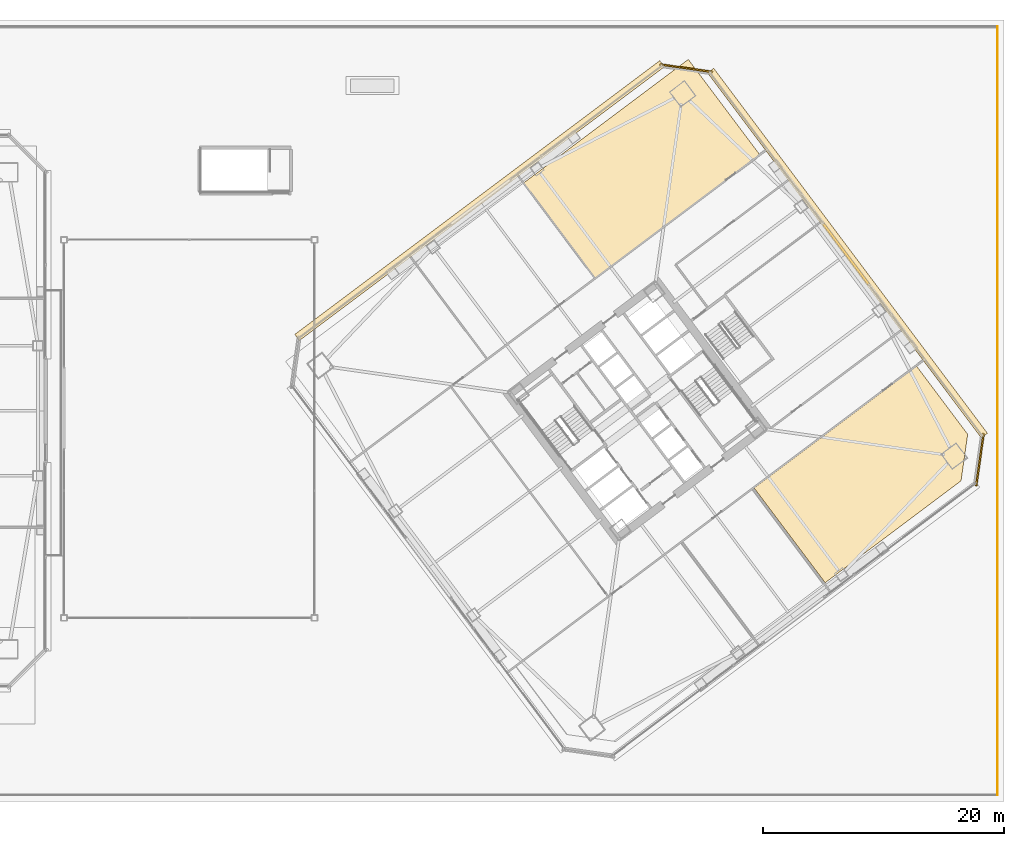
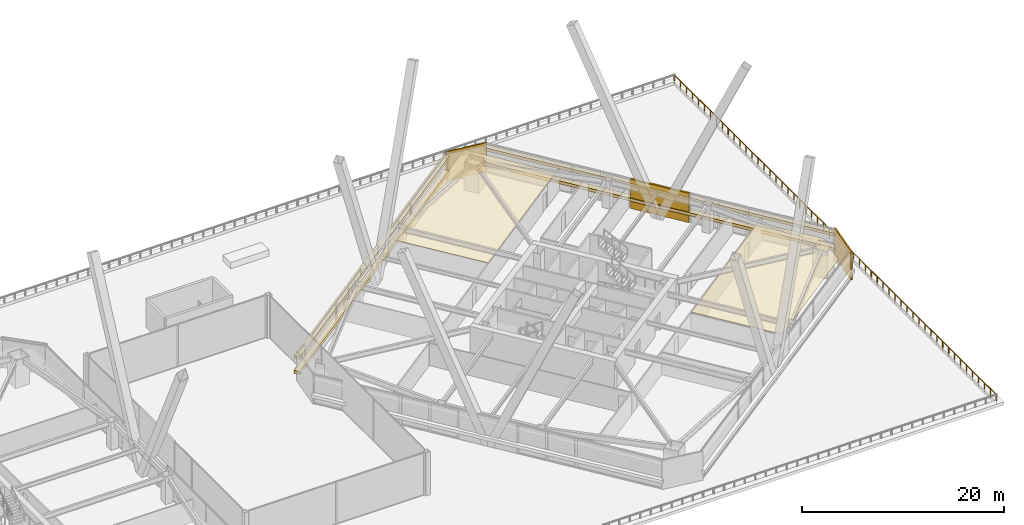
# One storey, part 82 of 83: 9 coverings, 1 railing.
"""IFC4 building model written with IfcOpenShell, lengths in metres."""

import ifcopenshell
import ifcopenshell.guid

model = None  # the IFC model being written
_history = None  # IfcOwnerHistory: only IFC2X3 demands one
_inside = {}  # id of a spatial element -> (the spatial element, [elements in it])
_under = {}  # id of a project, library or spatial element -> (it, [spatial elements below it])
_declared = {}  # id of a project -> (the project, [libraries it declares])
_typed = {}  # id of a type object -> (the type object, [elements of that type])
_made_of = {}  # id of a material, layer set ... -> (it, [elements and type objects made of it])


def new_model(schema):
    """Start an empty IFC model of exactly this schema.

    Asked for "IFC4X3", IfcOpenShell would pick the latest addendum, in which some entities
    have other attributes; the version numbers below select the first issue.
    IFC2X3 requires an IfcOwnerHistory on every rooted entity: one is made here for all.
    """
    global model, _history
    if schema == "IFC4X3":
        model = ifcopenshell.file(schema_version=(4, 3, 0, 0))
    else:
        model = ifcopenshell.file(schema=schema)
    _inside.clear()
    _under.clear()
    _declared.clear()
    _typed.clear()
    _made_of.clear()
    _history = None
    if model.schema == "IFC2X3":
        org = make("IfcOrganization", Name="unknown")
        user = make(
            "IfcPersonAndOrganization",
            ThePerson=make("IfcPerson", FamilyName="unknown"),
            TheOrganization=org,
        )
        app = make(
            "IfcApplication",
            ApplicationDeveloper=org,
            Version="unknown",
            ApplicationFullName="unknown",
            ApplicationIdentifier="unknown",
        )
        _history = make(
            "IfcOwnerHistory",
            OwningUser=user,
            OwningApplication=app,
            ChangeAction="ADDED",
            CreationDate=0,
        )
    return model


def make(cls, **values):
    """One entity of the class cls with the attributes given. An attribute that is None is left unset."""
    return model.create_entity(
        cls, **{name: value for name, value in values.items() if value is not None}
    )


def rooted(cls, **values):
    """An entity with a GlobalId (a new one), such as an element, a storey or a relation."""
    return make(cls, GlobalId=ifcopenshell.guid.new(), OwnerHistory=_history, **values)


def si_unit(unit_type, name, prefix=None):
    """IfcSIUnit, for example si_unit("LENGTHUNIT", "METRE", prefix="MILLI")."""
    return make("IfcSIUnit", UnitType=unit_type, Prefix=prefix, Name=name)


def assignment(units):
    """IfcUnitAssignment: the units of a project."""
    return None if units is None else make("IfcUnitAssignment", Units=units)


def point(xyz):
    """IfcCartesianPoint."""
    return None if xyz is None else make("IfcCartesianPoint", Coordinates=xyz)


def direction(xyz):
    """IfcDirection."""
    return None if xyz is None else make("IfcDirection", DirectionRatios=xyz)


def frame(location, z_axis=None, x_axis=None):
    """IfcAxis2Placement3D, a coordinate frame: its origin and axes. An axis left out is left unset."""
    return make(
        "IfcAxis2Placement3D",
        Location=point(location),
        Axis=direction(z_axis),
        RefDirection=direction(x_axis),
    )


def frame_2d(location, x_axis=None):
    """IfcAxis2Placement2D, a coordinate frame in the plane: its origin and x axis."""
    return make(
        "IfcAxis2Placement2D", Location=point(location), RefDirection=direction(x_axis)
    )


def origin():
    """The frame at (0, 0, 0) with its axes left unset."""
    return frame((0.0, 0.0, 0.0))


def origin_2d():
    """The frame at (0, 0) in the plane with its x axis left unset."""
    return frame_2d((0.0, 0.0))


def place(relative_to, where):
    """IfcLocalPlacement: puts the frame where relative to a parent placement (None: the world)."""
    return make(
        "IfcLocalPlacement", PlacementRelTo=relative_to, RelativePlacement=where
    )


def context(
    kind, dimensions, precision=None, world=None, true_north=None, identifier=None
):
    """IfcGeometricRepresentationContext, for example the 3D "Model" context."""
    return make(
        "IfcGeometricRepresentationContext",
        ContextIdentifier=identifier,
        ContextType=kind,
        CoordinateSpaceDimension=dimensions,
        Precision=precision,
        WorldCoordinateSystem=world,
        TrueNorth=true_north,
    )


def subcontext(parent, identifier, kind, view, scale=None):
    """IfcGeometricRepresentationSubContext, for example "Body" below "Model"."""
    return make(
        "IfcGeometricRepresentationSubContext",
        ContextIdentifier=identifier,
        ContextType=kind,
        ParentContext=parent,
        TargetScale=scale,
        TargetView=view,
    )


def project(units=None, contexts=None):
    """IfcProject with its units and contexts."""
    return rooted(
        "IfcProject",
        Name="project",
        RepresentationContexts=contexts,
        UnitsInContext=assignment(units),
    )


def spatial(cls, under=None, at=None, **own):
    """A site, building, storey or space (cls), placed at a placement, below another one or the project."""
    s = rooted(cls, ObjectPlacement=at, **own)
    if under is not None:
        _under.setdefault(under.id(), (under, []))[1].append(s)
    return s


def polyline(points):
    """IfcPolyline through the points."""
    return make("IfcPolyline", Points=[point(p) for p in points])


def profile(cls, at=None, kind="AREA", **sizes):
    """A parametric profile (cls). Its sizes go by their IFC names, for example OverallWidth=200.0."""
    return make(cls, ProfileType=kind, Position=at, **sizes)


def rectangle(**sizes):
    """IfcRectangleProfileDef."""
    return profile("IfcRectangleProfileDef", **sizes)


def outline(outer, holes=None, kind="AREA"):
    """IfcArbitraryClosedProfileDef: a profile drawn as a closed curve; with holes, ...WithVoids."""
    if holes is None:
        return make("IfcArbitraryClosedProfileDef", ProfileType=kind, OuterCurve=outer)
    return make(
        "IfcArbitraryProfileDefWithVoids",
        ProfileType=kind,
        OuterCurve=outer,
        InnerCurves=holes,
    )


def extrude(swept, where, along, depth):
    """IfcExtrudedAreaSolid: the profile swept, set in the frame where, extruded along a direction by depth."""
    return make(
        "IfcExtrudedAreaSolid",
        SweptArea=swept,
        Position=where,
        ExtrudedDirection=direction(along),
        Depth=depth,
    )


def shape(context_of_items, identifier, shape_type, items):
    """IfcShapeRepresentation: the items that make up one representation, for example the "Body"."""
    return make(
        "IfcShapeRepresentation",
        ContextOfItems=context_of_items,
        RepresentationIdentifier=identifier,
        RepresentationType=shape_type,
        Items=items,
    )


def material(Name=None, Category=None):
    """IfcMaterial."""
    return make("IfcMaterial", Name=Name, Category=Category)


def layer(
    of_material, thickness, ventilated=None, Name=None, Category=None, Priority=None
):
    """IfcMaterialLayer: one layer of a wall or slab, of a material (None: an air gap)."""
    return make(
        "IfcMaterialLayer",
        Material=of_material,
        LayerThickness=thickness,
        IsVentilated=ventilated,
        Name=Name,
        Category=Category,
        Priority=Priority,
    )


def layer_set(layers, Name=None):
    """IfcMaterialLayerSet."""
    return make("IfcMaterialLayerSet", MaterialLayers=layers, LayerSetName=Name)


def made_of(thing, what):
    """Note that an element or type object is made of a material, layer set ...; save() writes the relation."""
    if what is not None:
        _made_of.setdefault(what.id(), (what, []))[1].append(thing)
    return thing


def type_object(cls, material=None, **own):
    """A type object (cls), such as IfcWallType, which elements share."""
    return made_of(rooted(cls, **own), material)


def element(
    cls,
    number,
    at=None,
    inside=None,
    cuts=None,
    type_object=None,
    material=None,
    context=None,
    identifier="Body",
    shape_type=None,
    held_by="IfcProductDefinitionShape",
    body=None,
    shapes=None,
    **own,
):
    """One element of the class cls, such as IfcWall. Its Tag is "e" and its number.

    at: its placement. inside: the storey or other place that contains it. cuts: it is an
    opening in that element (IfcRelVoidsElement). A single representation is given by context,
    identifier, shape_type and body (its items); several are given by shapes. held_by: the class
    of the entity that holds the representations. save() writes the other relations.
    """
    e = rooted(cls, Tag="e%d" % number, ObjectPlacement=at, **own)
    if body is not None:
        shapes = [shape(context, identifier, shape_type, body)]
    if shapes is not None:
        e.Representation = make(held_by, Representations=shapes)
    if inside is not None:
        _inside.setdefault(inside.id(), (inside, []))[1].append(e)
    if cuts is not None:
        rooted(
            "IfcRelVoidsElement", RelatingBuildingElement=cuts, RelatedOpeningElement=e
        )
    if type_object is not None:
        _typed.setdefault(type_object.id(), (type_object, []))[1].append(e)
    return made_of(e, material)


def aggregate(whole, parts):
    """IfcRelAggregates: a whole, such as a stair, and the parts it consists of."""
    return rooted("IfcRelAggregates", RelatingObject=whole, RelatedObjects=parts)


def save(model, path):
    """Write the relations noted so far, then the file.

    IfcRelAggregates (storeys below a building ...), IfcRelContainedInSpatialStructure (elements
    in a storey), IfcRelDefinesByType, IfcRelAssociatesMaterial and IfcRelDeclares: one each for
    every whole, place, type object, material and project.
    """
    for whole, parts in _under.values():
        aggregate(whole, parts)
    for where, things in _inside.values():
        rooted(
            "IfcRelContainedInSpatialStructure",
            RelatedElements=things,
            RelatingStructure=where,
        )
    for kind, things in _typed.values():
        rooted("IfcRelDefinesByType", RelatedObjects=things, RelatingType=kind)
    for what, things in _made_of.values():
        rooted("IfcRelAssociatesMaterial", RelatedObjects=things, RelatingMaterial=what)
    for by, libraries in _declared.values():
        rooted("IfcRelDeclares", RelatingContext=by, RelatedDefinitions=libraries)
    model.write(path)


model = new_model("IFC4")

# Units and contexts
model_context = context("Model", 3, precision=1e-05, world=origin(), true_north=direction((0.0, 1.0)))
body_context = subcontext(model_context, "Body", "Model", "MODEL_VIEW")
ifc_project = project(units=[si_unit("LENGTHUNIT", "METRE"), si_unit("AREAUNIT", "SQUARE_METRE"), si_unit("VOLUMEUNIT", "CUBIC_METRE"), si_unit("PLANEANGLEUNIT", "RADIAN"), si_unit("MASSUNIT", "GRAM", prefix="KILO")], contexts=[model_context])

# Site, building, storey
site_placement = place(None, origin())
site = spatial("IfcSite", under=ifc_project, at=site_placement, CompositionType="ELEMENT")
building_placement = place(site_placement, origin())
building = spatial("IfcBuilding", under=site, at=building_placement, Name="Tashvorn Skyway Center", CompositionType="ELEMENT")
storey_placement = place(building_placement, frame((0.0, 0.0, 24.60009765625)))
storey = spatial("IfcBuildingStorey", under=building, at=storey_placement, Name="L05", CompositionType="ELEMENT", Elevation=24.60009765625)

# Coverings
ifc_material_1 = material(Name="Precast concrete C40/50", Category="concrete")
ifc_layer_1 = layer(ifc_material_1, 0.199951171875)
ifc_layer_set_1 = layer_set([ifc_layer_1], Name="Precast concrete C40/50")
covering_type_1 = type_object("IfcCoveringType", Name="COV-BRACE-CLAD", PredefinedType="CLADDING", material=ifc_layer_set_1)
covering_1_placement = place(storey_placement, frame((131.343994140625, 45.008056640625, 0.0), z_axis=(0.0, 0.0, 1.0), x_axis=(0.600000004945, -0.799999996291, 0.0)))
element("IfcCovering", 1, at=covering_1_placement, inside=storey, type_object=covering_type_1, Name="Tower 2 L05 East Unitised Curtain Wall Mega-Brace Cladding Band 1", PredefinedType="CLADDING", context=body_context, shape_type="SweptSolid", body=[
    extrude(rectangle(XDim=6.293212890625, YDim=0.199951171875, at=origin_2d()), origin(), (0.0, 0.0, 1.0), 3.550048828125),
])
ifc_material_2 = material(Name="Mineral-fibre acoustic ceiling tile on suspended grid")
ifc_layer_2 = layer(ifc_material_2, 0.02001953125)
ifc_layer_set_2 = layer_set([ifc_layer_2], Name="Mineral-fibre acoustic ceiling tile on suspended grid")
covering_type_2 = type_object("IfcCoveringType", Name="COV-CEIL-20", PredefinedType="CEILING", material=ifc_layer_set_2)
covering_2_placement = place(storey_placement, frame((0.0, 0.0, 2.682861328125)))
element("IfcCovering", 2, at=covering_2_placement, inside=storey, type_object=covering_type_2, Name="Tower 2 L05 Catering Pantry Acoustic Ceiling", PredefinedType="CEILING", context=body_context, shape_type="SweptSolid", body=[
    extrude(outline(polyline([(110.5, 43.0), (124.179931640625, 53.260009765625), (118.239990234375, 61.179931640625), (104.56005859375, 50.919921875), (110.5, 43.0)])), origin(), (0.0, 0.0, 1.0), 0.02001953125),
])
covering_3_placement = place(storey_placement, frame((0.0, 0.0, 2.682861328125)))
element("IfcCovering", 3, at=covering_3_placement, inside=storey, type_object=covering_type_2, Name="Tower 2 L05 Catering Pantry Acoustic Ceiling", PredefinedType="CEILING", context=body_context, shape_type="SweptSolid", body=[
    extrude(outline(polyline([(129.60400390625, 17.72802734375), (123.699951171875, 25.60009765625), (137.18798828125, 35.716064453125), (141.43603515625, 30.052001953125), (140.884033203125, 26.18798828125), (129.60400390625, 17.72802734375)])), origin(), (0.0, 0.0, 1.0), 0.02001953125),
])
ifc_material_3 = material(Name="Perforated ceramic-coated bronze aluminium solar screen", Category="aluminium")
ifc_layer_3 = layer(ifc_material_3, 0.85009765625)
ifc_layer_set_3 = layer_set([ifc_layer_3], Name="Perforated ceramic-coated bronze aluminium solar screen")
covering_type_3 = type_object("IfcCoveringType", Name="COV-SOLAR-BAND", PredefinedType="CLADDING", material=ifc_layer_set_3)
for number, where, z_axis, x_axis, name in (
    (4, (100.907958984375, 49.4560546875, 0.919921875), (0.0, 0.0, 1.0), (0.799999996291, 0.600000004945, 0.0), "L05 Perforated Ceramic-Metal Solar Screen Louvre Band North 1"),
    (5, (100.907958984375, 49.4560546875, 2.7197265625), (0.0, 0.0, 1.0), (0.799999996291, 0.600000004945, 0.0), "L05 Perforated Ceramic-Metal Solar Screen Louvre Band North 2"),
    (6, (131.4560546875, 45.092041015625, 0.919921875), (0.0, 0.0, 1.0), (0.600000004945, -0.799999996291, 0.0), "L05 Perforated Ceramic-Metal Solar Screen Louvre Band East 1"),
    (7, (131.4560546875, 45.092041015625, 2.7197265625), (0.0, 0.0, 1.0), (0.600000004945, -0.799999996291, 0.0), "L05 Perforated Ceramic-Metal Solar Screen Louvre Band East 2"),
):
    element("IfcCovering", number, at=place(storey_placement, frame(where, z_axis=z_axis, x_axis=x_axis)), inside=storey, type_object=covering_type_3, Name=name, PredefinedType="CLADDING", context=body_context, shape_type="SweptSolid", body=[
        extrude(rectangle(XDim=37.8798828125, YDim=0.639892578125, at=origin_2d()), origin(), (0.0, 0.0, 1.0), 0.360107421875),
    ])
ifc_layer_4 = layer(ifc_material_1, 0.35009765625)
ifc_layer_set_4 = layer_set([ifc_layer_4], Name="Precast concrete C40/50")
covering_type_4 = type_object("IfcCoveringType", Name="COV-STONE-TRIM", PredefinedType="CLADDING", material=ifc_layer_set_4)
for number, where, z_axis, x_axis, name in (
    (8, (118.06396484375, 60.447998046875, 0.02001953125), (0.0, 0.0, 1.0), (0.989949494535, -0.141421350118, 0.0), "Tower 2 L05 NE Mojave Limestone Corner Quoin"),
    (9, (142.447998046875, 27.93603515625, 0.02001953125), (0.0, 0.0, 1.0), (0.141421350118, 0.989949494535, 0.0), "Tower 2 L05 SE Mojave Limestone Corner Quoin"),
):
    element("IfcCovering", number, at=place(storey_placement, frame(where, z_axis=z_axis, x_axis=x_axis)), inside=storey, type_object=covering_type_4, Name=name, PredefinedType="CLADDING", context=body_context, shape_type="SweptSolid", body=[
        extrude(rectangle(XDim=4.402587890625, YDim=0.139892578125, at=origin_2d()), origin(), (0.0, 0.0, 1.0), 3.510009765625),
    ])

# Railing
ifc_material_4 = material(Name="Galvanized steel S355", Category="steel")
railing_type = type_object("IfcRailingType", Name="RAIL-GUARD-1120", PredefinedType="GUARDRAIL", material=ifc_material_4)
railing_placement = place(storey_placement, frame((143.89990234375, 0.10009765625, 0.0)))
element("IfcRailing", 10, at=railing_placement, inside=storey, type_object=railing_type, Name="L05 Podium Roof Garden Perimeter Guardrail 02", PredefinedType="GUARDRAIL", context=body_context, shape_type="SweptSolid", body=[
    extrude(rectangle(XDim=0.048095703125, YDim=0.048095703125, at=origin_2d()), frame((0.0, 0.0, 1.09619140625), z_axis=(0.0, 1.0, 0.0), x_axis=(-1.0, 0.0, 0.0)), (0.0, 0.0, 1.0), 63.7998046875),
    extrude(rectangle(XDim=0.0419921875, YDim=0.0419921875, at=origin_2d()), origin(), (0.0, 0.0, 1.0), 1.072021484375),
    extrude(rectangle(XDim=0.0419921875, YDim=0.0419921875, at=origin_2d()), frame((0.0, 1.181396484375, 0.0)), (0.0, 0.0, 1.0), 1.072021484375),
    extrude(rectangle(XDim=0.0419921875, YDim=0.0419921875, at=origin_2d()), frame((0.0, 2.363037109375, 0.0)), (0.0, 0.0, 1.0), 1.072021484375),
    extrude(rectangle(XDim=0.0419921875, YDim=0.0419921875, at=origin_2d()), frame((0.0, 3.54443359375, 0.0)), (0.0, 0.0, 1.0), 1.072021484375),
    extrude(rectangle(XDim=0.0419921875, YDim=0.0419921875, at=origin_2d()), frame((0.0, 4.725830078125, 0.0)), (0.0, 0.0, 1.0), 1.072021484375),
    extrude(rectangle(XDim=0.0419921875, YDim=0.0419921875, at=origin_2d()), frame((0.0, 5.907470703125, 0.0)), (0.0, 0.0, 1.0), 1.072021484375),
    extrude(rectangle(XDim=0.0419921875, YDim=0.0419921875, at=origin_2d()), frame((0.0, 7.0888671875, 0.0)), (0.0, 0.0, 1.0), 1.072021484375),
    extrude(rectangle(XDim=0.0419921875, YDim=0.0419921875, at=origin_2d()), frame((0.0, 8.270263671875, 0.0)), (0.0, 0.0, 1.0), 1.072021484375),
    extrude(rectangle(XDim=0.0419921875, YDim=0.0419921875, at=origin_2d()), frame((0.0, 9.451904296875, 0.0)), (0.0, 0.0, 1.0), 1.072021484375),
    extrude(rectangle(XDim=0.0419921875, YDim=0.0419921875, at=origin_2d()), frame((0.0, 10.63330078125, 0.0)), (0.0, 0.0, 1.0), 1.072021484375),
    extrude(rectangle(XDim=0.0419921875, YDim=0.0419921875, at=origin_2d()), frame((0.0, 11.814697265625, 0.0)), (0.0, 0.0, 1.0), 1.072021484375),
    extrude(rectangle(XDim=0.0419921875, YDim=0.0419921875, at=origin_2d()), frame((0.0, 12.996337890625, 0.0)), (0.0, 0.0, 1.0), 1.072021484375),
    extrude(rectangle(XDim=0.0419921875, YDim=0.0419921875, at=origin_2d()), frame((0.0, 14.177734375, 0.0)), (0.0, 0.0, 1.0), 1.072021484375),
    extrude(rectangle(XDim=0.0419921875, YDim=0.0419921875, at=origin_2d()), frame((0.0, 15.359130859375, 0.0)), (0.0, 0.0, 1.0), 1.072021484375),
    extrude(rectangle(XDim=0.0419921875, YDim=0.0419921875, at=origin_2d()), frame((0.0, 16.540771484375, 0.0)), (0.0, 0.0, 1.0), 1.072021484375),
    extrude(rectangle(XDim=0.0419921875, YDim=0.0419921875, at=origin_2d()), frame((0.0, 17.72216796875, 0.0)), (0.0, 0.0, 1.0), 1.072021484375),
    extrude(rectangle(XDim=0.0419921875, YDim=0.0419921875, at=origin_2d()), frame((0.0, 18.903564453125, 0.0)), (0.0, 0.0, 1.0), 1.072021484375),
    extrude(rectangle(XDim=0.0419921875, YDim=0.0419921875, at=origin_2d()), frame((0.0, 20.085205078125, 0.0)), (0.0, 0.0, 1.0), 1.072021484375),
    extrude(rectangle(XDim=0.0419921875, YDim=0.0419921875, at=origin_2d()), frame((0.0, 21.2666015625, 0.0)), (0.0, 0.0, 1.0), 1.072021484375),
    extrude(rectangle(XDim=0.0419921875, YDim=0.0419921875, at=origin_2d()), frame((0.0, 22.447998046875, 0.0)), (0.0, 0.0, 1.0), 1.072021484375),
    extrude(rectangle(XDim=0.0419921875, YDim=0.0419921875, at=origin_2d()), frame((0.0, 23.629638671875, 0.0)), (0.0, 0.0, 1.0), 1.072021484375),
    extrude(rectangle(XDim=0.0419921875, YDim=0.0419921875, at=origin_2d()), frame((0.0, 24.81103515625, 0.0)), (0.0, 0.0, 1.0), 1.072021484375),
    extrude(rectangle(XDim=0.0419921875, YDim=0.0419921875, at=origin_2d()), frame((0.0, 25.992431640625, 0.0)), (0.0, 0.0, 1.0), 1.072021484375),
    extrude(rectangle(XDim=0.0419921875, YDim=0.0419921875, at=origin_2d()), frame((0.0, 27.174072265625, 0.0)), (0.0, 0.0, 1.0), 1.072021484375),
    extrude(rectangle(XDim=0.0419921875, YDim=0.0419921875, at=origin_2d()), frame((0.0, 28.35546875, 0.0)), (0.0, 0.0, 1.0), 1.072021484375),
    extrude(rectangle(XDim=0.0419921875, YDim=0.0419921875, at=origin_2d()), frame((0.0, 29.536865234375, 0.0)), (0.0, 0.0, 1.0), 1.072021484375),
    extrude(rectangle(XDim=0.0419921875, YDim=0.0419921875, at=origin_2d()), frame((0.0, 30.718505859375, 0.0)), (0.0, 0.0, 1.0), 1.072021484375),
    extrude(rectangle(XDim=0.0419921875, YDim=0.0419921875, at=origin_2d()), frame((0.0, 31.89990234375, 0.0)), (0.0, 0.0, 1.0), 1.072021484375),
    extrude(rectangle(XDim=0.0419921875, YDim=0.0419921875, at=origin_2d()), frame((0.0, 33.081298828125, 0.0)), (0.0, 0.0, 1.0), 1.072021484375),
    extrude(rectangle(XDim=0.0419921875, YDim=0.0419921875, at=origin_2d()), frame((0.0, 34.262939453125, 0.0)), (0.0, 0.0, 1.0), 1.072021484375),
    extrude(rectangle(XDim=0.0419921875, YDim=0.0419921875, at=origin_2d()), frame((0.0, 35.4443359375, 0.0)), (0.0, 0.0, 1.0), 1.072021484375),
    extrude(rectangle(XDim=0.0419921875, YDim=0.0419921875, at=origin_2d()), frame((0.0, 36.625732421875, 0.0)), (0.0, 0.0, 1.0), 1.072021484375),
    extrude(rectangle(XDim=0.0419921875, YDim=0.0419921875, at=origin_2d()), frame((0.0, 37.807373046875, 0.0)), (0.0, 0.0, 1.0), 1.072021484375),
    extrude(rectangle(XDim=0.0419921875, YDim=0.0419921875, at=origin_2d()), frame((0.0, 38.98876953125, 0.0)), (0.0, 0.0, 1.0), 1.072021484375),
    extrude(rectangle(XDim=0.0419921875, YDim=0.0419921875, at=origin_2d()), frame((0.0, 40.170166015625, 0.0)), (0.0, 0.0, 1.0), 1.072021484375),
    extrude(rectangle(XDim=0.0419921875, YDim=0.0419921875, at=origin_2d()), frame((0.0, 41.351806640625, 0.0)), (0.0, 0.0, 1.0), 1.072021484375),
    extrude(rectangle(XDim=0.0419921875, YDim=0.0419921875, at=origin_2d()), frame((0.0, 42.533203125, 0.0)), (0.0, 0.0, 1.0), 1.072021484375),
    extrude(rectangle(XDim=0.0419921875, YDim=0.0419921875, at=origin_2d()), frame((0.0, 43.714599609375, 0.0)), (0.0, 0.0, 1.0), 1.072021484375),
    extrude(rectangle(XDim=0.0419921875, YDim=0.0419921875, at=origin_2d()), frame((0.0, 44.896240234375, 0.0)), (0.0, 0.0, 1.0), 1.072021484375),
    extrude(rectangle(XDim=0.0419921875, YDim=0.0419921875, at=origin_2d()), frame((0.0, 46.07763671875, 0.0)), (0.0, 0.0, 1.0), 1.072021484375),
    extrude(rectangle(XDim=0.0419921875, YDim=0.0419921875, at=origin_2d()), frame((0.0, 47.259033203125, 0.0)), (0.0, 0.0, 1.0), 1.072021484375),
    extrude(rectangle(XDim=0.0419921875, YDim=0.0419921875, at=origin_2d()), frame((0.0, 48.440673828125, 0.0)), (0.0, 0.0, 1.0), 1.072021484375),
    extrude(rectangle(XDim=0.0419921875, YDim=0.0419921875, at=origin_2d()), frame((0.0, 49.6220703125, 0.0)), (0.0, 0.0, 1.0), 1.072021484375),
    extrude(rectangle(XDim=0.0419921875, YDim=0.0419921875, at=origin_2d()), frame((0.0, 50.803466796875, 0.0)), (0.0, 0.0, 1.0), 1.072021484375),
    extrude(rectangle(XDim=0.0419921875, YDim=0.0419921875, at=origin_2d()), frame((0.0, 51.985107421875, 0.0)), (0.0, 0.0, 1.0), 1.072021484375),
    extrude(rectangle(XDim=0.0419921875, YDim=0.0419921875, at=origin_2d()), frame((0.0, 53.16650390625, 0.0)), (0.0, 0.0, 1.0), 1.072021484375),
    extrude(rectangle(XDim=0.0419921875, YDim=0.0419921875, at=origin_2d()), frame((0.0, 54.347900390625, 0.0)), (0.0, 0.0, 1.0), 1.072021484375),
    extrude(rectangle(XDim=0.0419921875, YDim=0.0419921875, at=origin_2d()), frame((0.0, 55.529541015625, 0.0)), (0.0, 0.0, 1.0), 1.072021484375),
    extrude(rectangle(XDim=0.0419921875, YDim=0.0419921875, at=origin_2d()), frame((0.0, 56.7109375, 0.0)), (0.0, 0.0, 1.0), 1.072021484375),
    extrude(rectangle(XDim=0.0419921875, YDim=0.0419921875, at=origin_2d()), frame((0.0, 57.892333984375, 0.0)), (0.0, 0.0, 1.0), 1.072021484375),
    extrude(rectangle(XDim=0.0419921875, YDim=0.0419921875, at=origin_2d()), frame((0.0, 59.073974609375, 0.0)), (0.0, 0.0, 1.0), 1.072021484375),
    extrude(rectangle(XDim=0.0419921875, YDim=0.0419921875, at=origin_2d()), frame((0.0, 60.25537109375, 0.0)), (0.0, 0.0, 1.0), 1.072021484375),
    extrude(rectangle(XDim=0.0419921875, YDim=0.0419921875, at=origin_2d()), frame((0.0, 61.436767578125, 0.0)), (0.0, 0.0, 1.0), 1.072021484375),
    extrude(rectangle(XDim=0.0419921875, YDim=0.0419921875, at=origin_2d()), frame((0.0, 62.618408203125, 0.0)), (0.0, 0.0, 1.0), 1.072021484375),
    extrude(rectangle(XDim=0.0419921875, YDim=0.0419921875, at=origin_2d()), frame((0.0, 63.7998046875, 0.0)), (0.0, 0.0, 1.0), 1.072021484375),
])

save(model, "model.ifc")
